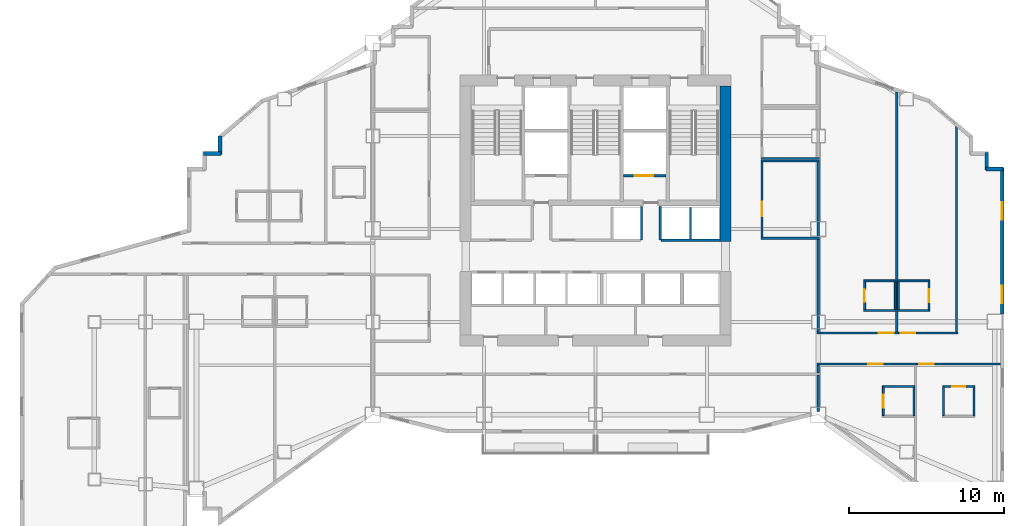
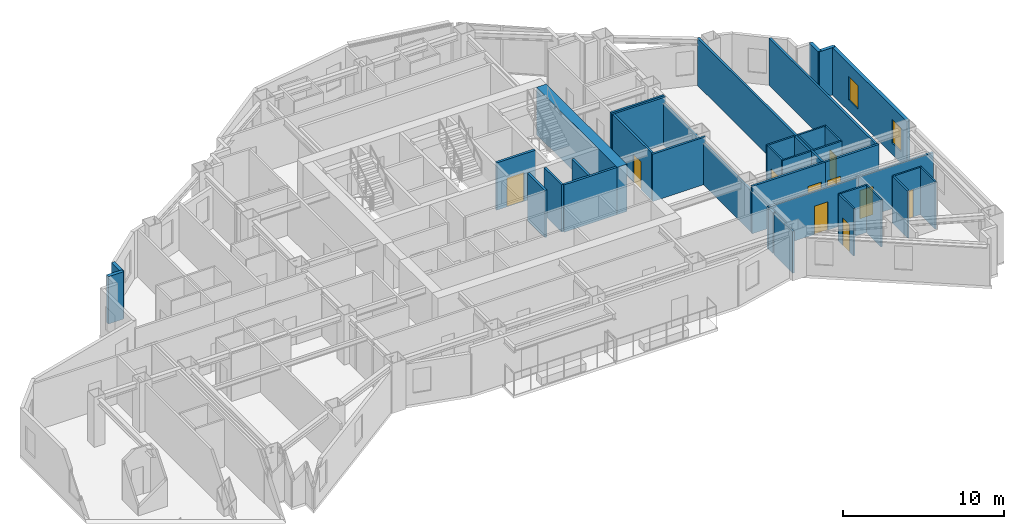
# One storey, part 10 of 14: 39 walls, 10 doors, 2 windows, 12 openings.
"""IFC4 building model written with IfcOpenShell, lengths in metres."""

from ifc_helpers import new_model, si_unit, direction, frame, frame_2d, origin, place, context, subcontext, project, spatial, rectangle, extrude, material, layer, layer_set, type_object, element, fill, save


model = new_model("IFC4")

# Units and contexts
model_context = context("Model", 3, precision=1e-05, world=origin(), true_north=direction((0.0, 1.0)))
body_context = subcontext(model_context, "Body", "Model", "MODEL_VIEW")
ifc_project = project(units=[si_unit("LENGTHUNIT", "METRE"), si_unit("AREAUNIT", "SQUARE_METRE"), si_unit("VOLUMEUNIT", "CUBIC_METRE"), si_unit("PLANEANGLEUNIT", "RADIAN"), si_unit("MASSUNIT", "GRAM", prefix="KILO")], contexts=[model_context])

# Site, building, storey
site_placement = place(None, origin())
site = spatial("IfcSite", under=ifc_project, at=site_placement, CompositionType="ELEMENT")
building_placement = place(site_placement, origin())
building = spatial("IfcBuilding", under=site, at=building_placement, Name="Haolan Belvedere Tower", CompositionType="ELEMENT")
storey_placement = place(building_placement, frame((0.0, 0.0, 144.800048828125)))
storey = spatial("IfcBuildingStorey", under=building, at=storey_placement, Name="L36", CompositionType="ELEMENT", Elevation=144.800048828125)

# Wall
ifc_material_1 = material(Name="Concrete C60/75", Category="concrete")
ifc_layer_1 = layer(ifc_material_1, 0.699951171875, Name="Concrete C60/75")
ifc_layer_set_1 = layer_set([ifc_layer_1], Name="Concrete C60/75")
wall_type_1 = type_object("IfcWallType", Name="WL-CORE-700", PredefinedType="SHEAR", material=ifc_layer_set_1)
wall_1_placement = place(storey_placement, frame((46.800048828125, 32.800048828125, 0.0), z_axis=(0.0, 0.0, 1.0), x_axis=(0.0, 1.0, 0.0)))
element("IfcWall", 1, at=wall_1_placement, inside=storey, type_object=wall_type_1, Name="L36 central core shear wall EN", PredefinedType="SHEAR", context=body_context, shape_type="SweptSolid", body=[
    extrude(rectangle(XDim=10.050048828125, YDim=0.699951171875, at=frame_2d((5.02490234375, 0.0))), origin(), (0.0, 0.0, 1.0), 3.599853515625),
])

# Wall, openings, windows
ifc_material_2 = material(Name="Precast concrete C40/50", Category="concrete")
ifc_layer_2 = layer(ifc_material_2, 0.239990234375, Name="Precast concrete C40/50")
ifc_layer_set_2 = layer_set([ifc_layer_2], Name="Precast concrete C40/50")
wall_type_2 = type_object("IfcWallType", Name="WL-EXT-240", PredefinedType="SOLIDWALL", material=ifc_layer_set_2)
wall_2_placement = place(storey_placement, frame((64.679931640625, 28.092041015625, 0.0), z_axis=(0.0, 0.0, 1.0), x_axis=(0.0, 1.0, 0.0)))
wall_2 = element("IfcWall", 2, at=wall_2_placement, inside=storey, type_object=wall_type_2, Name="L36 pale-metal exterior spandrel wall 14.2", PredefinedType="SOLIDWALL", context=body_context, shape_type="SweptSolid", body=[
    extrude(rectangle(XDim=9.44287109375, YDim=0.239990234375, at=frame_2d((4.721435546875, 0.0))), origin(), (0.0, 0.0, 1.0), 3.599853515625),
])
opening_1_placement = place(wall_2_placement, frame((0.699951171875, 0.0, 0.85009765625)))
opening_1 = element("IfcOpeningElement", 3, at=opening_1_placement, cuts=wall_2, Name="Opening W-02", PredefinedType="OPENING", context=body_context, shape_type="SweptSolid", body=[
    extrude(rectangle(XDim=1.14990234375, YDim=1.800048828125, at=frame_2d((0.574951171875, 0.89990234375))), frame((0.0, 0.1298828125, 0.0), z_axis=(0.0, -1.0, 0.0), x_axis=(1.0, 0.0, 0.0)), (0.0, 0.0, 1.0), 0.260009765625),
])
opening_2_placement = place(wall_2_placement, frame((6.10009765625, 0.0, 0.85009765625)))
opening_2 = element("IfcOpeningElement", 4, at=opening_2_placement, cuts=wall_2, Name="Opening W-02", PredefinedType="OPENING", context=body_context, shape_type="SweptSolid", body=[
    extrude(rectangle(XDim=1.14990234375, YDim=1.800048828125, at=frame_2d((0.574951171875, 0.89990234375))), frame((0.0, 0.1298828125, 0.0), z_axis=(0.0, -1.0, 0.0), x_axis=(1.0, 0.0, 0.0)), (0.0, 0.0, 1.0), 0.260009765625),
])
ifc_material_3 = material(Name="Anodised aluminium 6063-T6 and Low-E glass", Category="aluminium")
window_type = type_object("IfcWindowType", Name="WN-DECO-Z2", PartitioningType="SINGLE_PANEL", PredefinedType="WINDOW", material=ifc_material_3)
window_1_placement = place(opening_1_placement, origin())
window_1 = element("IfcWindow", 5, at=window_1_placement, inside=storey, type_object=window_type, Name="L36 Art Deco chevron window 1", OverallHeight=1.800048828125, OverallWidth=1.14990234375, PartitioningType="SINGLE_PANEL", PredefinedType="WINDOW", context=body_context, shape_type="SweptSolid", body=[
    extrude(rectangle(XDim=1.14990234375, YDim=1.800048828125, at=frame_2d((0.574951171875, 0.89990234375))), frame((0.0, 0.030029296875, 0.0), z_axis=(0.0, -1.0, 0.0), x_axis=(1.0, 0.0, 0.0)), (0.0, 0.0, 1.0), 0.06005859375),
])
fill(opening_1, window_1)
window_2_placement = place(opening_2_placement, origin())
window_2 = element("IfcWindow", 6, at=window_2_placement, inside=storey, type_object=window_type, Name="L36 Art Deco chevron window 2", OverallHeight=1.800048828125, OverallWidth=1.14990234375, PartitioningType="SINGLE_PANEL", PredefinedType="WINDOW", context=body_context, shape_type="SweptSolid", body=[
    extrude(rectangle(XDim=1.14990234375, YDim=1.800048828125, at=frame_2d((0.574951171875, 0.89990234375))), frame((0.0, 0.030029296875, 0.0), z_axis=(0.0, -1.0, 0.0), x_axis=(1.0, 0.0, 0.0)), (0.0, 0.0, 1.0), 0.06005859375),
])
fill(opening_2, window_2)

# Walls
wall_3_placement = place(storey_placement, frame((64.735107421875, 37.47998046875, 0.0), z_axis=(0.0, 0.0, 1.0), x_axis=(-1.0, 0.0, 0.0)))
element("IfcWall", 7, at=wall_3_placement, inside=storey, type_object=wall_type_2, Name="L36 pale-metal exterior spandrel wall 15.1", PredefinedType="SOLIDWALL", context=body_context, shape_type="SweptSolid", body=[
    extrude(rectangle(XDim=1.110107421875, YDim=0.239990234375, at=frame_2d((0.55517578125, 0.0))), origin(), (0.0, 0.0, 1.0), 3.599853515625),
])
wall_4_placement = place(storey_placement, frame((63.679931640625, 37.425048828125, 0.0), z_axis=(0.0, 0.0, 1.0), x_axis=(0.0, 1.0, 0.0)))
element("IfcWall", 8, at=wall_4_placement, inside=storey, type_object=wall_type_2, Name="L36 pale-metal exterior spandrel wall 16.1", PredefinedType="SOLIDWALL", context=body_context, shape_type="SweptSolid", body=[
    extrude(rectangle(XDim=1.10986328125, YDim=0.239990234375, at=frame_2d((0.554931640625, 0.0))), origin(), (0.0, 0.0, 1.0), 3.599853515625),
])
wall_5_placement = place(storey_placement, frame((14.1201171875, 39.599853515625, 0.0), z_axis=(0.0, 0.0, 1.0), x_axis=(0.0, -1.0, 0.0)))
element("IfcWall", 9, at=wall_5_placement, inside=storey, type_object=wall_type_2, Name="L36 pale-metal exterior spandrel wall 37.1", PredefinedType="SOLIDWALL", context=body_context, shape_type="SweptSolid", body=[
    extrude(rectangle(XDim=1.1748046875, YDim=0.239990234375, at=frame_2d((0.58740234375, 0.0))), origin(), (0.0, 0.0, 1.0), 3.599853515625),
])
wall_6_placement = place(storey_placement, frame((14.175048828125, 38.47998046875, 0.0), z_axis=(0.0, 0.0, 1.0), x_axis=(-1.0, 0.0, 0.0)))
element("IfcWall", 10, at=wall_6_placement, inside=storey, type_object=wall_type_2, Name="L36 pale-metal exterior spandrel wall 38.1", PredefinedType="SOLIDWALL", context=body_context, shape_type="SweptSolid", body=[
    extrude(rectangle(XDim=1.110107421875, YDim=0.239990234375, at=frame_2d((0.55517578125, 0.0))), origin(), (0.0, 0.0, 1.0), 3.599853515625),
])
ifc_material_4 = material(Name="Double gypsum acoustic stud partition", Category="masonry")
ifc_layer_3 = layer(ifc_material_4, 0.14990234375, Name="Double gypsum acoustic stud partition")
ifc_layer_set_3 = layer_set([ifc_layer_3], Name="Double gypsum acoustic stud partition")
wall_type_3 = type_object("IfcWallType", Name="WL-PART-150", PredefinedType="PARTITIONING", material=ifc_layer_set_3)
for number, where, z_axis, x_axis, name in (
    (11, (49.080078125, 38.0, 0.0), (0.0, 0.0, 1.0), (1.0, 0.0, 0.0), "L36 interior partition IW-L36-BPN-N"),
    (12, (49.080078125, 33.0, 0.0), (0.0, 0.0, 1.0), (1.0, 0.0, 0.0), "L36 interior partition IW-L36-BPN-S"),
):
    element("IfcWall", number, at=place(storey_placement, frame(where, z_axis=z_axis, x_axis=x_axis)), inside=storey, type_object=wall_type_3, Name=name, PredefinedType="PARTITIONING", context=body_context, shape_type="SweptSolid", body=[
        extrude(rectangle(XDim=3.7998046875, YDim=0.14990234375, at=frame_2d((1.89990234375, 0.0))), origin(), (0.0, 0.0, 1.0), 3.599853515625),
    ])

# Wall, opening, door
wall_7_placement = place(storey_placement, frame((49.159912109375, 33.06005859375, 0.0), z_axis=(0.0, 0.0, 1.0), x_axis=(0.0, 1.0, 0.0)))
wall_7 = element("IfcWall", 13, at=wall_7_placement, inside=storey, type_object=wall_type_3, Name="L36 interior partition IW-L36-BPN-W", PredefinedType="PARTITIONING", context=body_context, shape_type="SweptSolid", body=[
    extrude(rectangle(XDim=4.8798828125, YDim=0.14990234375, at=frame_2d((2.43994140625, 0.0))), origin(), (0.0, 0.0, 1.0), 3.599853515625),
])
opening_3_placement = place(wall_7_placement, frame((1.360107421875, 0.0, 0.0)))
opening_3 = element("IfcOpeningElement", 14, at=opening_3_placement, cuts=wall_7, Name="Opening ID-03", PredefinedType="OPENING", context=body_context, shape_type="SweptSolid", body=[
    extrude(rectangle(XDim=0.949951171875, YDim=2.1201171875, at=frame_2d((0.47509765625, 1.06005859375))), frame((0.0, 0.0849609375, 0.0), z_axis=(0.0, -1.0, 0.0), x_axis=(1.0, 0.0, 0.0)), (0.0, 0.0, 1.0), 0.169921875),
])
ifc_material_5 = material(Name="Painted solid-core timber", Category="wood")
door_type_1 = type_object("IfcDoorType", Name="DR-INT-950", OperationType="NOTDEFINED", PredefinedType="DOOR", material=ifc_material_5)
door_1_placement = place(opening_3_placement, origin())
door_1 = element("IfcDoor", 15, at=door_1_placement, inside=storey, type_object=door_type_1, Name="L36 door ID-L36-BPN", OperationType="SINGLE_SWING_RIGHT", OverallHeight=2.1201171875, OverallWidth=0.949951171875, PredefinedType="DOOR", context=body_context, shape_type="SweptSolid", body=[
    extrude(rectangle(XDim=0.949951171875, YDim=2.1201171875, at=frame_2d((0.47509765625, 1.06005859375))), frame((0.0, 0.02490234375, 0.0), z_axis=(0.0, -1.0, 0.0), x_axis=(1.0, 0.0, 0.0)), (0.0, 0.0, 1.0), 0.050048828125),
])
fill(opening_3, door_1)

# Walls
wall_8_placement = place(storey_placement, frame((52.800048828125, 33.06005859375, 0.0), z_axis=(0.0, 0.0, 1.0), x_axis=(0.0, 1.0, 0.0)))
element("IfcWall", 16, at=wall_8_placement, inside=storey, type_object=wall_type_3, Name="L36 interior partition IW-L36-BPN-E", PredefinedType="PARTITIONING", context=body_context, shape_type="SweptSolid", body=[
    extrude(rectangle(XDim=4.8798828125, YDim=0.14990234375, at=frame_2d((2.43994140625, 0.0))), origin(), (0.0, 0.0, 1.0), 3.14501953125),
])
wall_9_placement = place(storey_placement, frame((49.080078125, 38.159912109375, 0.0), z_axis=(0.0, 0.0, 1.0), x_axis=(1.0, 0.0, 0.0)))
element("IfcWall", 17, at=wall_9_placement, inside=storey, type_object=wall_type_3, Name="L36 interior partition IW-L36-AWC-S", PredefinedType="PARTITIONING", context=body_context, shape_type="SweptSolid", body=[
    extrude(rectangle(XDim=3.7998046875, YDim=0.14990234375, at=frame_2d((1.89990234375, 0.0))), origin(), (0.0, 0.0, 1.0), 3.599853515625),
])
wall_10_placement = place(storey_placement, frame((52.800048828125, 21.818603515625, 0.0), z_axis=(0.0, 0.0, 1.0), x_axis=(0.0, 1.0, 0.0)))
element("IfcWall", 18, at=wall_10_placement, inside=storey, type_object=wall_type_3, Name="L36 interior partition IW-L36-KS3-E", PredefinedType="PARTITIONING", context=body_context, shape_type="SweptSolid", body=[
    extrude(rectangle(XDim=2.34130859375, YDim=0.14990234375, at=frame_2d((1.170654296875, 0.0))), origin(), (0.0, 0.0, 1.0), 3.14501953125),
])

# Wall, opening, door
wall_11_placement = place(storey_placement, frame((52.699951171875, 26.8798828125, 0.0), z_axis=(0.0, 0.0, 1.0), x_axis=(1.0, 0.0, 0.0)))
wall_11 = element("IfcWall", 19, at=wall_11_placement, inside=storey, type_object=wall_type_3, Name="L36 interior partition IW-L36-T4N1-S", PredefinedType="PARTITIONING", context=body_context, shape_type="SweptSolid", body=[
    extrude(rectangle(XDim=5.27001953125, YDim=0.14990234375, at=frame_2d((2.635009765625, 0.0))), origin(), (0.0, 0.0, 1.0), 3.599853515625),
])
opening_4_placement = place(wall_11_placement, frame((4.01708984375, 0.0, 0.0)))
opening_4 = element("IfcOpeningElement", 20, at=opening_4_placement, cuts=wall_11, Name="Opening ID-01", PredefinedType="OPENING", context=body_context, shape_type="SweptSolid", body=[
    extrude(rectangle(XDim=0.949951171875, YDim=2.179931640625, at=frame_2d((0.47509765625, 1.08984375))), frame((0.0, 0.0849609375, 0.0), z_axis=(0.0, -1.0, 0.0), x_axis=(1.0, 0.0, 0.0)), (0.0, 0.0, 1.0), 0.169921875),
])
ifc_material_6 = material(Name="Acoustic walnut veneer fire-rated timber", Category="wood")
door_type_2 = type_object("IfcDoorType", Name="DR-SUITE-950", OperationType="NOTDEFINED", PredefinedType="DOOR", material=ifc_material_6)
door_2_placement = place(opening_4_placement, origin())
door_2 = element("IfcDoor", 21, at=door_2_placement, inside=storey, type_object=door_type_2, Name="L36 door ID-L36-T4N1-ENT", OperationType="SINGLE_SWING_LEFT", OverallHeight=2.179931640625, OverallWidth=0.949951171875, PredefinedType="DOOR", context=body_context, shape_type="SweptSolid", body=[
    extrude(rectangle(XDim=0.949951171875, YDim=2.179931640625, at=frame_2d((0.47509765625, 1.08984375))), frame((0.0, 0.02490234375, 0.0), z_axis=(0.0, -1.0, 0.0), x_axis=(1.0, 0.0, 0.0)), (0.0, 0.0, 1.0), 0.050048828125),
])
fill(opening_4, door_2)

# Walls
wall_12_placement = place(storey_placement, frame((52.800048828125, 26.93994140625, 0.0), z_axis=(0.0, 0.0, 1.0), x_axis=(0.0, 1.0, 0.0)))
element("IfcWall", 22, at=wall_12_placement, inside=storey, type_object=wall_type_3, Name="L36 interior partition IW-L36-T4N1-W", PredefinedType="PARTITIONING", context=body_context, shape_type="SweptSolid", body=[
    extrude(rectangle(XDim=6.0, YDim=0.14990234375, at=frame_2d((3.0, 0.0))), origin(), (0.0, 0.0, 1.0), 3.14501953125),
])
wall_13_placement = place(storey_placement, frame((57.8701171875, 26.93994140625, 0.0), z_axis=(0.0, 0.0, 1.0), x_axis=(0.0, 1.0, 0.0)))
element("IfcWall", 23, at=wall_13_placement, inside=storey, type_object=wall_type_3, Name="L36 interior partition IW-L36-T4N1-E", PredefinedType="PARTITIONING", context=body_context, shape_type="SweptSolid", body=[
    extrude(rectangle(XDim=15.532958984375, YDim=0.14990234375, at=frame_2d((7.7666015625, 0.0))), origin(), (0.0, 0.0, 1.0), 3.599853515625),
])

# Wall, opening, door
wall_14_placement = place(storey_placement, frame((57.971923828125, 26.8798828125, 0.0), z_axis=(0.0, 0.0, 1.0), x_axis=(1.0, 0.0, 0.0)))
wall_14 = element("IfcWall", 24, at=wall_14_placement, inside=storey, type_object=wall_type_3, Name="L36 interior partition IW-L36-T4N2-S", PredefinedType="PARTITIONING", context=body_context, shape_type="SweptSolid", body=[
    extrude(rectangle(XDim=3.858154296875, YDim=0.14990234375, at=frame_2d((1.92919921875, 0.0))), origin(), (0.0, 0.0, 1.0), 3.599853515625),
])
opening_5_placement = place(wall_14_placement, frame((0.139892578125, 0.0, 0.0)))
opening_5 = element("IfcOpeningElement", 25, at=opening_5_placement, cuts=wall_14, Name="Opening ID-02", PredefinedType="OPENING", context=body_context, shape_type="SweptSolid", body=[
    extrude(rectangle(XDim=0.949951171875, YDim=2.14990234375, at=frame_2d((0.47509765625, 1.074951171875))), frame((0.0, 0.0849609375, 0.0), z_axis=(0.0, -1.0, 0.0), x_axis=(1.0, 0.0, 0.0)), (0.0, 0.0, 1.0), 0.169921875),
])
ifc_material_7 = material(Name="Acoustic oak veneer fire-rated timber", Category="wood")
door_type_3 = type_object("IfcDoorType", Name="DR-GUEST-950", OperationType="NOTDEFINED", PredefinedType="DOOR", material=ifc_material_7)
door_3_placement = place(opening_5_placement, origin())
door_3 = element("IfcDoor", 26, at=door_3_placement, inside=storey, type_object=door_type_3, Name="L36 door ID-L36-T4N2-ENT", OperationType="SINGLE_SWING_RIGHT", OverallHeight=2.14990234375, OverallWidth=0.949951171875, PredefinedType="DOOR", context=body_context, shape_type="SweptSolid", body=[
    extrude(rectangle(XDim=0.949951171875, YDim=2.14990234375, at=frame_2d((0.47509765625, 1.074951171875))), frame((0.0, 0.02490234375, 0.0), z_axis=(0.0, -1.0, 0.0), x_axis=(1.0, 0.0, 0.0)), (0.0, 0.0, 1.0), 0.050048828125),
])
fill(opening_5, door_3)

# Wall
wall_15_placement = place(storey_placement, frame((61.72998046875, 26.93994140625, 0.0), z_axis=(0.0, 0.0, 1.0), x_axis=(0.0, 1.0, 0.0)))
element("IfcWall", 27, at=wall_15_placement, inside=storey, type_object=wall_type_3, Name="L36 interior partition IW-L36-T4N2-E", PredefinedType="PARTITIONING", context=body_context, shape_type="SweptSolid", body=[
    extrude(rectangle(XDim=13.28076171875, YDim=0.14990234375, at=frame_2d((6.640380859375, 0.0))), origin(), (0.0, 0.0, 1.0), 3.599853515625),
])

# Wall, opening, door
wall_16_placement = place(storey_placement, frame((52.699951171875, 24.8701171875, 0.0), z_axis=(0.0, 0.0, 1.0), x_axis=(1.0, 0.0, 0.0)))
wall_16 = element("IfcWall", 28, at=wall_16_placement, inside=storey, type_object=wall_type_3, Name="L36 interior partition IW-L36-T4S1-N", PredefinedType="PARTITIONING", context=body_context, shape_type="SweptSolid", body=[
    extrude(rectangle(XDim=6.47998046875, YDim=0.14990234375, at=frame_2d((3.239990234375, 0.0))), origin(), (0.0, 0.0, 1.0), 3.23486328125),
])
opening_6_placement = place(wall_16_placement, frame((4.27685546875, 0.0, 0.0), z_axis=(0.0, 0.0, 1.0), x_axis=(-1.0, 0.0, 0.0)))
opening_6 = element("IfcOpeningElement", 29, at=opening_6_placement, cuts=wall_16, Name="Opening ID-02", PredefinedType="OPENING", context=body_context, shape_type="SweptSolid", body=[
    extrude(rectangle(XDim=0.949951171875, YDim=2.14990234375, at=frame_2d((0.47509765625, 1.074951171875))), frame((0.0, 0.0849609375, 0.0), z_axis=(0.0, -1.0, 0.0), x_axis=(1.0, 0.0, 0.0)), (0.0, 0.0, 1.0), 0.169921875),
])
door_4_placement = place(opening_6_placement, origin())
door_4 = element("IfcDoor", 30, at=door_4_placement, inside=storey, type_object=door_type_3, Name="L36 door ID-L36-T4S1-ENT", OperationType="SINGLE_SWING_RIGHT", OverallHeight=2.14990234375, OverallWidth=0.949951171875, PredefinedType="DOOR", context=body_context, shape_type="SweptSolid", body=[
    extrude(rectangle(XDim=0.949951171875, YDim=2.14990234375, at=frame_2d((0.47509765625, 1.074951171875))), frame((0.0, 0.02490234375, 0.0), z_axis=(0.0, -1.0, 0.0), x_axis=(1.0, 0.0, 0.0)), (0.0, 0.0, 1.0), 0.050048828125),
])
fill(opening_6, door_4)

# Wall
wall_17_placement = place(storey_placement, frame((52.800048828125, 24.280029296875, 0.0), z_axis=(0.0, 0.0, 1.0), x_axis=(0.0, 1.0, 0.0)))
element("IfcWall", 31, at=wall_17_placement, inside=storey, type_object=wall_type_3, Name="L36 interior partition IW-L36-T4S1-W", PredefinedType="PARTITIONING", context=body_context, shape_type="SweptSolid", body=[
    extrude(rectangle(XDim=0.530029296875, YDim=0.14990234375, at=frame_2d((0.26513671875, 0.0))), origin(), (0.0, 0.0, 1.0), 3.14501953125),
])

# Wall, opening, door
wall_18_placement = place(storey_placement, frame((59.181884765625, 24.8701171875, 0.0), z_axis=(0.0, 0.0, 1.0), x_axis=(1.0, 0.0, 0.0)))
wall_18 = element("IfcWall", 32, at=wall_18_placement, inside=storey, type_object=wall_type_3, Name="L36 interior partition IW-L36-T4S2-N", PredefinedType="PARTITIONING", context=body_context, shape_type="SweptSolid", body=[
    extrude(rectangle(XDim=5.39306640625, YDim=0.14990234375, at=frame_2d((2.696533203125, 0.0))), origin(), (0.0, 0.0, 1.0), 3.23486328125),
])
opening_7_placement = place(wall_18_placement, frame((1.08984375, 0.0, 0.0), z_axis=(0.0, 0.0, 1.0), x_axis=(-1.0, 0.0, 0.0)))
opening_7 = element("IfcOpeningElement", 33, at=opening_7_placement, cuts=wall_18, Name="Opening ID-02", PredefinedType="OPENING", context=body_context, shape_type="SweptSolid", body=[
    extrude(rectangle(XDim=0.949951171875, YDim=2.14990234375, at=frame_2d((0.47509765625, 1.074951171875))), frame((0.0, 0.0849609375, 0.0), z_axis=(0.0, -1.0, 0.0), x_axis=(1.0, 0.0, 0.0)), (0.0, 0.0, 1.0), 0.169921875),
])
door_5_placement = place(opening_7_placement, origin())
door_5 = element("IfcDoor", 34, at=door_5_placement, inside=storey, type_object=door_type_3, Name="L36 door ID-L36-T4S2-ENT", OperationType="SINGLE_SWING_LEFT", OverallHeight=2.14990234375, OverallWidth=0.949951171875, PredefinedType="DOOR", context=body_context, shape_type="SweptSolid", body=[
    extrude(rectangle(XDim=0.949951171875, YDim=2.14990234375, at=frame_2d((0.47509765625, 1.074951171875))), frame((0.0, 0.02490234375, 0.0), z_axis=(0.0, -1.0, 0.0), x_axis=(1.0, 0.0, 0.0)), (0.0, 0.0, 1.0), 0.050048828125),
])
fill(opening_7, door_5)

# Walls
ifc_material_8 = material(Name="Gypsum fire shaftwall assembly", Category="masonry")
ifc_layer_4 = layer(ifc_material_8, 0.1650390625, Name="Gypsum fire shaftwall assembly")
ifc_layer_set_4 = layer_set([ifc_layer_4], Name="Gypsum fire shaftwall assembly")
wall_type_4 = type_object("IfcWallType", Name="WL-SHAFT-160", PredefinedType="SOLIDWALL", material=ifc_layer_set_4)
for number, where, z_axis, x_axis, name in (
    (35, (41.3701171875, 32.8798828125, 0.0), (0.0, 0.0, 1.0), (0.0, 1.0, 0.0), "L36 interior partition IW-L36-SVP-W-SV2"),
    (36, (42.570068359375, 32.8798828125, 0.0), (0.0, 0.0, 1.0), (0.0, 1.0, 0.0), "L36 interior partition IW-L36-SVP-E-SV2"),
):
    element("IfcWall", number, at=place(storey_placement, frame(where, z_axis=z_axis, x_axis=x_axis)), inside=storey, type_object=wall_type_4, Name=name, PredefinedType="SOLIDWALL", context=body_context, shape_type="SweptSolid", body=[
        extrude(rectangle(XDim=2.170166015625, YDim=0.14990234375, at=frame_2d((1.0849609375, 0.0))), origin(), (0.0, 0.0, 1.0), 3.599853515625),
    ])
wall_19_placement = place(storey_placement, frame((42.6298828125, 32.8798828125, 0.0), z_axis=(0.0, 0.0, 1.0), x_axis=(1.0, 0.0, 0.0)))
element("IfcWall", 37, at=wall_19_placement, inside=storey, type_object=wall_type_4, Name="L36 interior partition IW-L36-ROW-PN3", PredefinedType="SOLIDWALL", context=body_context, shape_type="SweptSolid", body=[
    extrude(rectangle(XDim=3.820068359375, YDim=0.159912109375, at=frame_2d((1.91015625, 0.0))), origin(), (0.0, 0.0, 1.0), 3.599853515625),
])
wall_20_placement = place(storey_placement, frame((44.530029296875, 32.949951171875, 0.0), z_axis=(0.0, 0.0, 1.0), x_axis=(0.0, 1.0, 0.0)))
element("IfcWall", 38, at=wall_20_placement, inside=storey, type_object=wall_type_4, Name="L36 interior partition IW-L36-DIV-PH2", PredefinedType="SOLIDWALL", context=body_context, shape_type="SweptSolid", body=[
    extrude(rectangle(XDim=2.050048828125, YDim=0.14990234375, at=frame_2d((1.02490234375, 0.0))), origin(), (0.0, 0.0, 1.0), 3.599853515625),
])

# Wall, opening, door
ifc_layer_5 = layer(ifc_material_2, 0.179931640625, Name="Precast concrete C40/50")
ifc_layer_set_5 = layer_set([ifc_layer_5], Name="Precast concrete C40/50")
wall_type_5 = type_object("IfcWallType", Name="WL-SHAFT-180", PredefinedType="SOLIDWALL", material=ifc_layer_set_5)
wall_21_placement = place(storey_placement, frame((40.195068359375, 37.050048828125, 0.0), z_axis=(0.0, 0.0, 1.0), x_axis=(1.0, 0.0, 0.0)))
wall_21 = element("IfcWall", 39, at=wall_21_placement, inside=storey, type_object=wall_type_5, Name="L36 interior partition IW-L36-SV2-S", PredefinedType="SOLIDWALL", context=body_context, shape_type="SweptSolid", body=[
    extrude(rectangle(XDim=2.77001953125, YDim=0.179931640625, at=frame_2d((1.385009765625, 0.0))), origin(), (0.0, 0.0, 1.0), 3.599853515625),
])
opening_8_placement = place(wall_21_placement, frame((1.945068359375, 0.0, 0.0), z_axis=(0.0, 0.0, 1.0), x_axis=(-1.0, 0.0, 0.0)))
opening_8 = element("IfcOpeningElement", 40, at=opening_8_placement, cuts=wall_21, Name="Opening LD-02", PredefinedType="OPENING", context=body_context, shape_type="SweptSolid", body=[
    extrude(rectangle(XDim=1.199951171875, YDim=2.199951171875, at=frame_2d((0.60009765625, 1.10009765625))), frame((0.0, 0.099853515625, 0.0), z_axis=(0.0, -1.0, 0.0), x_axis=(1.0, 0.0, 0.0)), (0.0, 0.0, 1.0), 0.199951171875),
])
ifc_material_9 = material(Name="Brushed champagne stainless steel 316L", Category="steel")
door_type_4 = type_object("IfcDoorType", Name="DR-LIFT-1200", OperationType="SLIDING_TO_RIGHT", PredefinedType="DOOR", material=ifc_material_9)
door_6_placement = place(opening_8_placement, origin())
door_6 = element("IfcDoor", 41, at=door_6_placement, inside=storey, type_object=door_type_4, Name="L36 door ID-L36-LD-SV2", OperationType="SLIDING_TO_RIGHT", OverallHeight=2.199951171875, OverallWidth=1.199951171875, PredefinedType="DOOR", context=body_context, shape_type="SweptSolid", body=[
    extrude(rectangle(XDim=1.199951171875, YDim=2.199951171875, at=frame_2d((0.60009765625, 1.10009765625))), frame((0.0, 0.02490234375, 0.0), z_axis=(0.0, -1.0, 0.0), x_axis=(1.0, 0.0, 0.0)), (0.0, 0.0, 1.0), 0.050048828125),
])
fill(opening_8, door_6)

# Walls
ifc_material_10 = material(Name="Moisture-resistant gypsum tile partition", Category="masonry")
ifc_layer_6 = layer(ifc_material_10, 0.1201171875, Name="Moisture-resistant gypsum tile partition")
ifc_layer_set_6 = layer_set([ifc_layer_6], Name="Moisture-resistant gypsum tile partition")
wall_type_6 = type_object("IfcWallType", Name="WL-WET-120", PredefinedType="PARTITIONING", material=ifc_layer_set_6)
for number, where, z_axis, x_axis, name in (
    (42, (55.72998046875, 30.25, 0.0), (0.0, 0.0, 1.0), (1.0, 0.0, 0.0), "L36 interior partition IW-L36-T4N1-BN"),
    (43, (55.72998046875, 28.330078125, 0.0), (0.0, 0.0, 1.0), (1.0, 0.0, 0.0), "L36 interior partition IW-L36-T4N1-BS"),
):
    element("IfcWall", number, at=place(storey_placement, frame(where, z_axis=z_axis, x_axis=x_axis)), inside=storey, type_object=wall_type_6, Name=name, PredefinedType="PARTITIONING", context=body_context, shape_type="SweptSolid", body=[
        extrude(rectangle(XDim=2.080078125, YDim=0.1201171875, at=frame_2d((1.0400390625, 0.0))), origin(), (0.0, 0.0, 1.0), 3.599853515625),
    ])

# Wall, opening, door
wall_22_placement = place(storey_placement, frame((55.7900390625, 28.375, 0.0), z_axis=(0.0, 0.0, 1.0), x_axis=(0.0, 1.0, 0.0)))
wall_22 = element("IfcWall", 44, at=wall_22_placement, inside=storey, type_object=wall_type_6, Name="L36 interior partition IW-L36-T4N1-BW", PredefinedType="PARTITIONING", context=body_context, shape_type="SweptSolid", body=[
    extrude(rectangle(XDim=1.830078125, YDim=0.1201171875, at=frame_2d((0.9150390625, 0.0))), origin(), (0.0, 0.0, 1.0), 3.599853515625),
])
opening_9_placement = place(wall_22_placement, frame((1.340087890625, 0.0, 0.0), z_axis=(0.0, 0.0, 1.0), x_axis=(-1.0, 0.0, 0.0)))
opening_9 = element("IfcOpeningElement", 45, at=opening_9_placement, cuts=wall_22, Name="Opening ID-05", PredefinedType="OPENING", context=body_context, shape_type="SweptSolid", body=[
    extrude(rectangle(XDim=0.85009765625, YDim=2.10009765625, at=frame_2d((0.425048828125, 1.050048828125))), frame((0.0, 0.070068359375, 0.0), z_axis=(0.0, -1.0, 0.0), x_axis=(1.0, 0.0, 0.0)), (0.0, 0.0, 1.0), 0.14013671875),
])
ifc_material_11 = material(Name="Moisture-resistant lacquered timber", Category="wood")
door_type_5 = type_object("IfcDoorType", Name="DR-BATH-850", OperationType="NOTDEFINED", PredefinedType="DOOR", material=ifc_material_11)
door_7_placement = place(opening_9_placement, origin())
door_7 = element("IfcDoor", 46, at=door_7_placement, inside=storey, type_object=door_type_5, Name="L36 door ID-L36-T4N1-BATH", OperationType="SINGLE_SWING_RIGHT", OverallHeight=2.10009765625, OverallWidth=0.85009765625, PredefinedType="DOOR", context=body_context, shape_type="SweptSolid", body=[
    extrude(rectangle(XDim=0.85009765625, YDim=2.10009765625, at=frame_2d((0.425048828125, 1.050048828125))), frame((0.0, 0.02490234375, 0.0), z_axis=(0.0, -1.0, 0.0), x_axis=(1.0, 0.0, 0.0)), (0.0, 0.0, 1.0), 0.050048828125),
])
fill(opening_9, door_7)

# Walls
wall_23_placement = place(storey_placement, frame((57.77001953125, 28.375, 0.0), z_axis=(0.0, 0.0, 1.0), x_axis=(0.0, 1.0, 0.0)))
element("IfcWall", 47, at=wall_23_placement, inside=storey, type_object=wall_type_6, Name="L36 interior partition IW-L36-T4N1-BE", PredefinedType="PARTITIONING", context=body_context, shape_type="SweptSolid", body=[
    extrude(rectangle(XDim=1.830078125, YDim=0.1201171875, at=frame_2d((0.9150390625, 0.0))), origin(), (0.0, 0.0, 1.0), 3.599853515625),
])
for number, where, z_axis, x_axis, name in (
    (48, (57.929931640625, 30.25, 0.0), (0.0, 0.0, 1.0), (1.0, 0.0, 0.0), "L36 interior partition IW-L36-T4N2-BN"),
    (49, (57.929931640625, 28.330078125, 0.0), (0.0, 0.0, 1.0), (1.0, 0.0, 0.0), "L36 interior partition IW-L36-T4N2-BS"),
):
    element("IfcWall", number, at=place(storey_placement, frame(where, z_axis=z_axis, x_axis=x_axis)), inside=storey, type_object=wall_type_6, Name=name, PredefinedType="PARTITIONING", context=body_context, shape_type="SweptSolid", body=[
        extrude(rectangle(XDim=2.080078125, YDim=0.1201171875, at=frame_2d((1.0400390625, 0.0))), origin(), (0.0, 0.0, 1.0), 3.599853515625),
    ])
wall_24_placement = place(storey_placement, frame((57.969970703125, 28.375, 0.0), z_axis=(0.0, 0.0, 1.0), x_axis=(0.0, 1.0, 0.0)))
element("IfcWall", 50, at=wall_24_placement, inside=storey, type_object=wall_type_6, Name="L36 interior partition IW-L36-T4N2-BW", PredefinedType="PARTITIONING", context=body_context, shape_type="SweptSolid", body=[
    extrude(rectangle(XDim=1.830078125, YDim=0.1201171875, at=frame_2d((0.9150390625, 0.0))), origin(), (0.0, 0.0, 1.0), 3.599853515625),
])

# Wall, opening, door
wall_25_placement = place(storey_placement, frame((59.949951171875, 28.375, 0.0), z_axis=(0.0, 0.0, 1.0), x_axis=(0.0, 1.0, 0.0)))
wall_25 = element("IfcWall", 51, at=wall_25_placement, inside=storey, type_object=wall_type_6, Name="L36 interior partition IW-L36-T4N2-BE", PredefinedType="PARTITIONING", context=body_context, shape_type="SweptSolid", body=[
    extrude(rectangle(XDim=1.830078125, YDim=0.1201171875, at=frame_2d((0.9150390625, 0.0))), origin(), (0.0, 0.0, 1.0), 3.599853515625),
])
opening_10_placement = place(wall_25_placement, frame((0.489990234375, 0.0, 0.0)))
opening_10 = element("IfcOpeningElement", 52, at=opening_10_placement, cuts=wall_25, Name="Opening ID-05", PredefinedType="OPENING", context=body_context, shape_type="SweptSolid", body=[
    extrude(rectangle(XDim=0.85009765625, YDim=2.10009765625, at=frame_2d((0.425048828125, 1.050048828125))), frame((0.0, 0.070068359375, 0.0), z_axis=(0.0, -1.0, 0.0), x_axis=(1.0, 0.0, 0.0)), (0.0, 0.0, 1.0), 0.14013671875),
])
door_8_placement = place(opening_10_placement, origin())
door_8 = element("IfcDoor", 53, at=door_8_placement, inside=storey, type_object=door_type_5, Name="L36 door ID-L36-T4N2-BATH", OperationType="SINGLE_SWING_LEFT", OverallHeight=2.10009765625, OverallWidth=0.85009765625, PredefinedType="DOOR", context=body_context, shape_type="SweptSolid", body=[
    extrude(rectangle(XDim=0.85009765625, YDim=2.10009765625, at=frame_2d((0.425048828125, 1.050048828125))), frame((0.0, 0.02490234375, 0.0), z_axis=(0.0, -1.0, 0.0), x_axis=(1.0, 0.0, 0.0)), (0.0, 0.0, 1.0), 0.050048828125),
])
fill(opening_10, door_8)

# Wall
wall_26_placement = place(storey_placement, frame((56.93994140625, 23.419921875, 0.0), z_axis=(0.0, 0.0, 1.0), x_axis=(1.0, 0.0, 0.0)))
element("IfcWall", 54, at=wall_26_placement, inside=storey, type_object=wall_type_6, Name="L36 interior partition IW-L36-T4S1-BN", PredefinedType="PARTITIONING", context=body_context, shape_type="SweptSolid", body=[
    extrude(rectangle(XDim=2.080078125, YDim=0.1201171875, at=frame_2d((1.0400390625, 0.0))), origin(), (0.0, 0.0, 1.0), 3.599853515625),
])

# Wall, opening, door
wall_27_placement = place(storey_placement, frame((57.0, 21.544921875, 0.0), z_axis=(0.0, 0.0, 1.0), x_axis=(0.0, 1.0, 0.0)))
wall_27 = element("IfcWall", 55, at=wall_27_placement, inside=storey, type_object=wall_type_6, Name="L36 interior partition IW-L36-T4S1-BW", PredefinedType="PARTITIONING", context=body_context, shape_type="SweptSolid", body=[
    extrude(rectangle(XDim=1.830078125, YDim=0.1201171875, at=frame_2d((0.9150390625, 0.0))), origin(), (0.0, 0.0, 1.0), 3.599853515625),
])
opening_11_placement = place(wall_27_placement, frame((1.340087890625, 0.0, 0.0), z_axis=(0.0, 0.0, 1.0), x_axis=(-1.0, 0.0, 0.0)))
opening_11 = element("IfcOpeningElement", 56, at=opening_11_placement, cuts=wall_27, Name="Opening ID-05", PredefinedType="OPENING", context=body_context, shape_type="SweptSolid", body=[
    extrude(rectangle(XDim=0.85009765625, YDim=2.10009765625, at=frame_2d((0.425048828125, 1.050048828125))), frame((0.0, 0.070068359375, 0.0), z_axis=(0.0, -1.0, 0.0), x_axis=(1.0, 0.0, 0.0)), (0.0, 0.0, 1.0), 0.14013671875),
])
door_9_placement = place(opening_11_placement, origin())
door_9 = element("IfcDoor", 57, at=door_9_placement, inside=storey, type_object=door_type_5, Name="L36 door ID-L36-T4S1-BATH", OperationType="SINGLE_SWING_LEFT", OverallHeight=2.10009765625, OverallWidth=0.85009765625, PredefinedType="DOOR", context=body_context, shape_type="SweptSolid", body=[
    extrude(rectangle(XDim=0.85009765625, YDim=2.10009765625, at=frame_2d((0.425048828125, 1.050048828125))), frame((0.0, 0.02490234375, 0.0), z_axis=(0.0, -1.0, 0.0), x_axis=(1.0, 0.0, 0.0)), (0.0, 0.0, 1.0), 0.050048828125),
])
fill(opening_11, door_9)

# Wall
wall_28_placement = place(storey_placement, frame((58.97998046875, 21.544921875, 0.0), z_axis=(0.0, 0.0, 1.0), x_axis=(0.0, 1.0, 0.0)))
element("IfcWall", 58, at=wall_28_placement, inside=storey, type_object=wall_type_6, Name="L36 interior partition IW-L36-T4S1-BE", PredefinedType="PARTITIONING", context=body_context, shape_type="SweptSolid", body=[
    extrude(rectangle(XDim=1.830078125, YDim=0.1201171875, at=frame_2d((0.9150390625, 0.0))), origin(), (0.0, 0.0, 1.0), 3.599853515625),
])

# Wall, opening, door
wall_29_placement = place(storey_placement, frame((60.824951171875, 23.419921875, 0.0), z_axis=(0.0, 0.0, 1.0), x_axis=(1.0, 0.0, 0.0)))
wall_29 = element("IfcWall", 59, at=wall_29_placement, inside=storey, type_object=wall_type_6, Name="L36 interior partition IW-L36-T4S2-BN", PredefinedType="PARTITIONING", context=body_context, shape_type="SweptSolid", body=[
    extrude(rectangle(XDim=2.10009765625, YDim=0.1201171875, at=frame_2d((1.050048828125, 0.0))), origin(), (0.0, 0.0, 1.0), 3.599853515625),
])
opening_12_placement = place(wall_29_placement, frame((1.47509765625, 0.0, 0.0), z_axis=(0.0, 0.0, 1.0), x_axis=(-1.0, 0.0, 0.0)))
opening_12 = element("IfcOpeningElement", 60, at=opening_12_placement, cuts=wall_29, Name="Opening ID-05", PredefinedType="OPENING", context=body_context, shape_type="SweptSolid", body=[
    extrude(rectangle(XDim=0.85009765625, YDim=2.10009765625, at=frame_2d((0.425048828125, 1.050048828125))), frame((0.0, 0.070068359375, 0.0), z_axis=(0.0, -1.0, 0.0), x_axis=(1.0, 0.0, 0.0)), (0.0, 0.0, 1.0), 0.14013671875),
])
door_10_placement = place(opening_12_placement, origin())
door_10 = element("IfcDoor", 61, at=door_10_placement, inside=storey, type_object=door_type_5, Name="L36 door ID-L36-T4S2-BATH", OperationType="SINGLE_SWING_RIGHT", OverallHeight=2.10009765625, OverallWidth=0.85009765625, PredefinedType="DOOR", context=body_context, shape_type="SweptSolid", body=[
    extrude(rectangle(XDim=0.85009765625, YDim=2.10009765625, at=frame_2d((0.425048828125, 1.050048828125))), frame((0.0, 0.02490234375, 0.0), z_axis=(0.0, -1.0, 0.0), x_axis=(1.0, 0.0, 0.0)), (0.0, 0.0, 1.0), 0.050048828125),
])
fill(opening_12, door_10)

# Walls
for number, where, z_axis, x_axis, name in (
    (62, (60.885009765625, 21.544921875, 0.0), (0.0, 0.0, 1.0), (0.0, 1.0, 0.0), "L36 interior partition IW-L36-T4S2-BW"),
    (63, (62.864990234375, 21.544921875, 0.0), (0.0, 0.0, 1.0), (0.0, 1.0, 0.0), "L36 interior partition IW-L36-T4S2-BE"),
):
    element("IfcWall", number, at=place(storey_placement, frame(where, z_axis=z_axis, x_axis=x_axis)), inside=storey, type_object=wall_type_6, Name=name, PredefinedType="PARTITIONING", context=body_context, shape_type="SweptSolid", body=[
        extrude(rectangle(XDim=1.830078125, YDim=0.1201171875, at=frame_2d((0.9150390625, 0.0))), origin(), (0.0, 0.0, 1.0), 3.599853515625),
    ])

save(model, "model.ifc")
